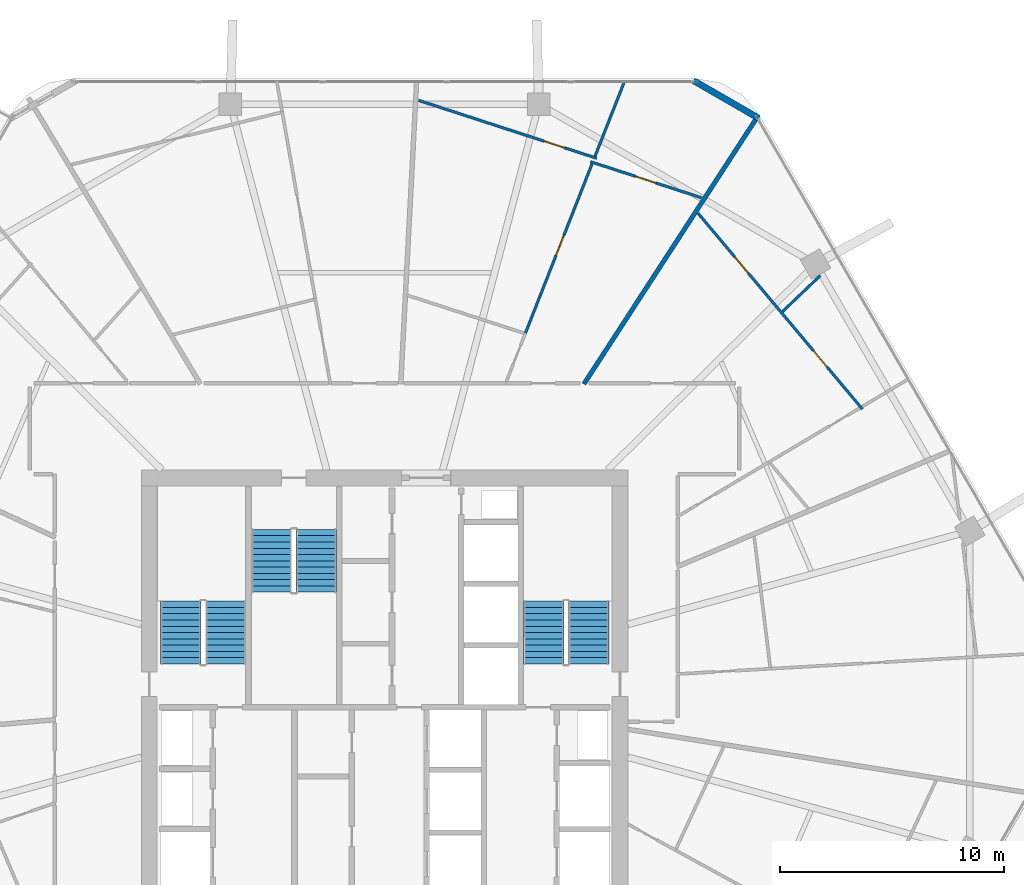
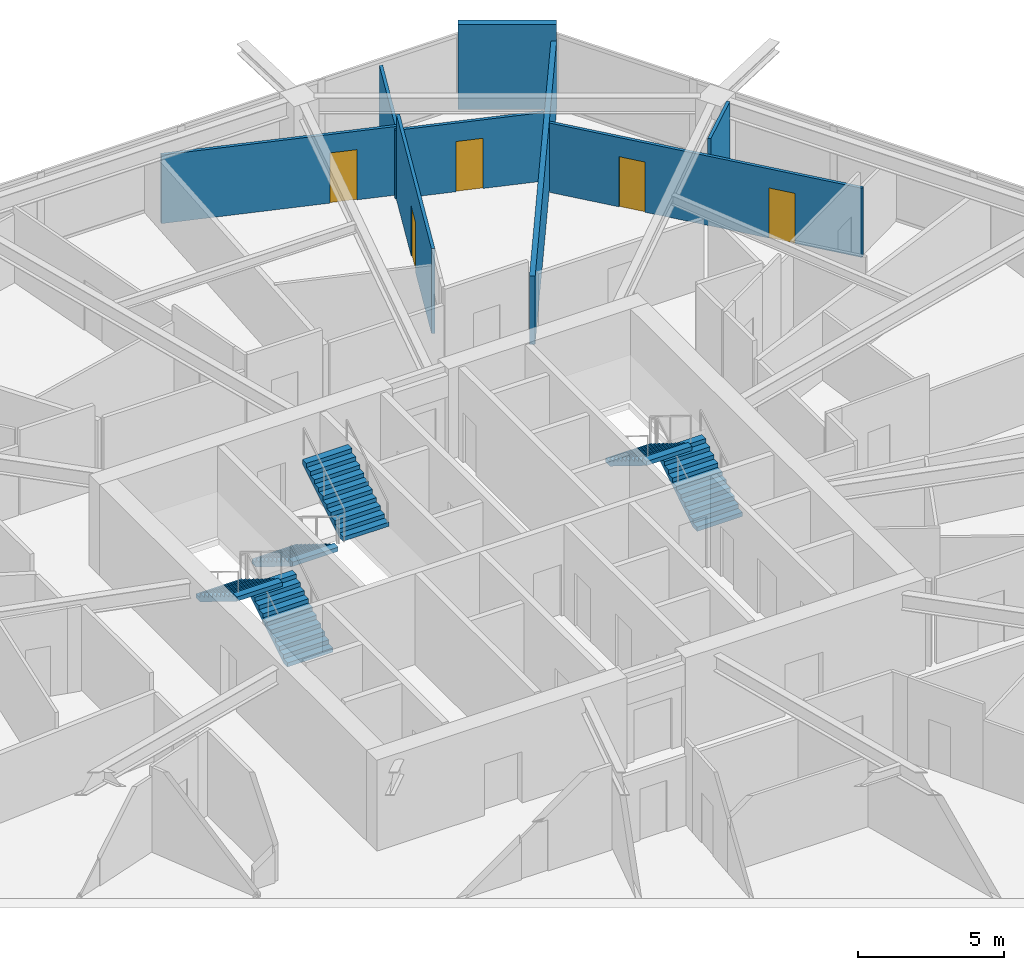
# One storey, part 22 of 26: 8 walls, 6 stair flights, 5 doors, 5 openings, 3 elements without a shape of their own.
"""IFC4 building model written with IfcOpenShell, lengths in metres."""

from ifc_helpers import new_model, si_unit, direction, frame, frame_2d, origin, place, context, subcontext, project, spatial, polyline, rectangle, outline, extrude, material, layer, layer_set, type_object, element, fill, aggregate, save


model = new_model("IFC4")

# Units and contexts
model_context = context("Model", 3, precision=1e-05, world=origin(), true_north=direction((0.0, 1.0)))
body_context = subcontext(model_context, "Body", "Model", "MODEL_VIEW")
ifc_project = project(units=[si_unit("LENGTHUNIT", "METRE"), si_unit("AREAUNIT", "SQUARE_METRE"), si_unit("VOLUMEUNIT", "CUBIC_METRE"), si_unit("PLANEANGLEUNIT", "RADIAN"), si_unit("MASSUNIT", "GRAM", prefix="KILO")], contexts=[model_context])

# Site, building, storey
site_placement = place(None, origin())
site = spatial("IfcSite", under=ifc_project, at=site_placement, CompositionType="ELEMENT")
building_placement = place(site_placement, origin())
building = spatial("IfcBuilding", under=site, at=building_placement, Name="Zuhravey Tower", CompositionType="ELEMENT")
storey_placement = place(building_placement, frame((0.0, 0.0, 165.60009765625)))
storey = spatial("IfcBuildingStorey", under=building, at=storey_placement, Name="L41", CompositionType="ELEMENT", Elevation=165.60009765625)

# Walls
ifc_material_1 = material(Name="Precast concrete C40/50", Category="concrete")
ifc_layer_1 = layer(ifc_material_1, 0.280029296875)
ifc_layer_set_1 = layer_set([ifc_layer_1], Name="Precast concrete C40/50")
wall_type_1 = type_object("IfcWallType", Name="Crown Architectural Wall 280", PredefinedType="SOLIDWALL", material=ifc_layer_set_1)
wall_1_placement = place(storey_placement, frame((49.77880859375, 59.230712890625, 0.0), z_axis=(0.0, 0.0, 1.0), x_axis=(0.866020068361, -0.500009241111, 0.0)))
element("IfcWall", 1, at=wall_1_placement, inside=storey, type_object=wall_type_1, Name="L41 Rounded Corner Closure Wall EW28-10", PredefinedType="SOLIDWALL", context=body_context, shape_type="SweptSolid", body=[
    extrude(rectangle(XDim=3.365234375, YDim=0.280029296875, at=frame_2d((1.6826171875, 0.0))), origin(), (0.0, 0.0, 1.0), 3.5498046875),
])
ifc_material_2 = material(Name="Gypsum double-stud party assembly")
ifc_layer_2 = layer(ifc_material_2, 0.199951171875)
ifc_layer_set_2 = layer_set([ifc_layer_2], Name="Gypsum double-stud party assembly")
wall_type_2 = type_object("IfcWallType", Name="Inter-Tenancy Party Wall 200", PredefinedType="PARTITIONING", material=ifc_layer_set_2)
wall_2_placement = place(storey_placement, frame((44.890380859375, 45.68994140625, 0.0), z_axis=(0.0, 0.0, 1.0), x_axis=(0.544635001308, 0.838673187452, 0.0)))
element("IfcWall", 2, at=wall_2_placement, inside=storey, type_object=wall_type_2, Name="L41 IW20 Partition 081", PredefinedType="PARTITIONING", context=body_context, shape_type="SweptSolid", body=[
    extrude(rectangle(XDim=14.184814453125, YDim=0.199951171875, at=frame_2d((7.09228515625, 0.0))), origin(), (0.0, 0.0, 1.0), 2.869873046875),
])

# Wall, openings, doors
ifc_material_3 = material(Name="Gypsum metal-stud partition")
ifc_layer_3 = layer(ifc_material_3, 0.1201171875)
ifc_layer_set_3 = layer_set([ifc_layer_3], Name="Gypsum metal-stud partition")
wall_type_3 = type_object("IfcWallType", Name="Unit Internal Partition 120", PredefinedType="PARTITIONING", material=ifc_layer_set_3)
wall_3_placement = place(storey_placement, frame((57.31689453125, 44.571044921875, 0.0), z_axis=(0.0, 0.0, 1.0), x_axis=(-0.642776392827, 0.766053855042, 0.0)))
wall_3 = element("IfcWall", 3, at=wall_3_placement, inside=storey, type_object=wall_type_3, Name="L41 IW12 Partition 019", PredefinedType="PARTITIONING", context=body_context, shape_type="SweptSolid", body=[
    extrude(rectangle(XDim=11.4072265625, YDim=0.1201171875, at=frame_2d((5.70361328125, 0.0))), origin(), (0.0, 0.0, 1.0), 2.89990234375),
])
opening_1_placement = place(wall_3_placement, frame((2.455810546875, 0.0, 0.0)))
opening_1 = element("IfcOpeningElement", 4, at=opening_1_placement, cuts=wall_3, Name="Opening IND1", PredefinedType="OPENING", context=body_context, shape_type="SweptSolid", body=[
    extrude(rectangle(XDim=0.949951171875, YDim=2.10009765625, at=frame_2d((0.47509765625, 1.050048828125))), frame((0.0, 0.072021484375, 0.0), z_axis=(0.0, -1.0, 0.0), x_axis=(1.0, 0.0, 0.0)), (0.0, 0.0, 1.0), 0.14404296875),
])
opening_2_placement = place(wall_3_placement, frame((7.919189453125, 0.0, 0.0)))
opening_2 = element("IfcOpeningElement", 5, at=opening_2_placement, cuts=wall_3, Name="Opening IND1", PredefinedType="OPENING", context=body_context, shape_type="SweptSolid", body=[
    extrude(rectangle(XDim=0.949951171875, YDim=2.10009765625, at=frame_2d((0.47509765625, 1.050048828125))), frame((0.0, 0.072021484375, 0.0), z_axis=(0.0, -1.0, 0.0), x_axis=(1.0, 0.0, 0.0)), (0.0, 0.0, 1.0), 0.14404296875),
])
ifc_material_4 = material(Name="Painted engineered timber leaf", Category="wood")
door_type = type_object("IfcDoorType", Name="Internal Room & Bedroom Door 950x2100", OperationType="NOTDEFINED", PredefinedType="DOOR", material=ifc_material_4)
door_1_placement = place(opening_1_placement, frame((0.949951171875, 0.0, 0.0), z_axis=(0.0, 0.0, 1.0), x_axis=(-1.0, 0.0, 0.0)))
door_1 = element("IfcDoor", 6, at=door_1_placement, inside=storey, type_object=door_type, Name="Apartment L41-01 Family Study Door", OperationType="SINGLE_SWING_LEFT", OverallHeight=2.10009765625, OverallWidth=0.949951171875, PredefinedType="DOOR", context=body_context, shape_type="SweptSolid", body=[
    extrude(rectangle(XDim=0.949951171875, YDim=2.10009765625, at=frame_2d((0.47509765625, 1.050048828125))), frame((0.0, 0.02490234375, 0.0), z_axis=(0.0, -1.0, 0.0), x_axis=(1.0, 0.0, 0.0)), (0.0, 0.0, 1.0), 0.050048828125),
])
fill(opening_1, door_1)
door_2_placement = place(opening_2_placement, frame((0.949951171875, 0.0, 0.0), z_axis=(0.0, 0.0, 1.0), x_axis=(-1.0, 0.0, 0.0)))
door_2 = element("IfcDoor", 7, at=door_2_placement, inside=storey, type_object=door_type, Name="Apartment L41-01 Dining Room Door", OperationType="SINGLE_SWING_RIGHT", OverallHeight=2.10009765625, OverallWidth=0.949951171875, PredefinedType="DOOR", context=body_context, shape_type="SweptSolid", body=[
    extrude(rectangle(XDim=0.949951171875, YDim=2.10009765625, at=frame_2d((0.47509765625, 1.050048828125))), frame((0.0, 0.02490234375, 0.0), z_axis=(0.0, -1.0, 0.0), x_axis=(1.0, 0.0, 0.0)), (0.0, 0.0, 1.0), 0.050048828125),
])
fill(opening_2, door_2)

# Wall, opening, door
wall_4_placement = place(storey_placement, frame((50.135498046875, 54.001953125, 0.0), z_axis=(0.0, 0.0, 1.0), x_axis=(-0.951047506312, 0.309044722876, 0.0)))
wall_4 = element("IfcWall", 8, at=wall_4_placement, inside=storey, type_object=wall_type_3, Name="L41 IW12 Partition 024", PredefinedType="PARTITIONING", context=body_context, shape_type="SweptSolid", body=[
    extrude(rectangle(XDim=5.206787109375, YDim=0.1201171875, at=frame_2d((2.603515625, 0.0))), origin(), (0.0, 0.0, 1.0), 2.869873046875),
])
opening_3_placement = place(wall_4_placement, frame((2.12841796875, 0.0, 0.0)))
opening_3 = element("IfcOpeningElement", 9, at=opening_3_placement, cuts=wall_4, Name="Opening IND1", PredefinedType="OPENING", context=body_context, shape_type="SweptSolid", body=[
    extrude(rectangle(XDim=0.949951171875, YDim=2.10009765625, at=frame_2d((0.47509765625, 1.050048828125))), frame((0.0, 0.072021484375, 0.0), z_axis=(0.0, -1.0, 0.0), x_axis=(1.0, 0.0, 0.0)), (0.0, 0.0, 1.0), 0.14404296875),
])
door_3_placement = place(opening_3_placement, frame((0.949951171875, 0.0, 0.0), z_axis=(0.0, 0.0, 1.0), x_axis=(-1.0, 0.0, 0.0)))
door_3 = element("IfcDoor", 10, at=door_3_placement, inside=storey, type_object=door_type, Name="Apartment L41-02 Family Study Door", OperationType="SINGLE_SWING_RIGHT", OverallHeight=2.10009765625, OverallWidth=0.949951171875, PredefinedType="DOOR", context=body_context, shape_type="SweptSolid", body=[
    extrude(rectangle(XDim=0.949951171875, YDim=2.10009765625, at=frame_2d((0.47509765625, 1.050048828125))), frame((0.0, 0.02490234375, 0.0), z_axis=(0.0, -1.0, 0.0), x_axis=(1.0, 0.0, 0.0)), (0.0, 0.0, 1.0), 0.050048828125),
])
fill(opening_3, door_3)

wall_5_placement = place(storey_placement, frame((42.281982421875, 47.96435546875, 0.0), z_axis=(0.0, 0.0, 1.0), x_axis=(0.366182812117, 0.930542931901, 0.0)))
wall_5 = element("IfcWall", 11, at=wall_5_placement, inside=storey, type_object=wall_type_3, Name="L41 IW12 Partition 026", PredefinedType="PARTITIONING", context=body_context, shape_type="SweptSolid", body=[
    extrude(rectangle(XDim=8.115966796875, YDim=0.1201171875, at=frame_2d((4.05810546875, 0.0))), origin(), (0.0, 0.0, 1.0), 3.5498046875),
])
opening_4_placement = place(wall_5_placement, frame((3.720703125, 0.0, 0.0)))
opening_4 = element("IfcOpeningElement", 12, at=opening_4_placement, cuts=wall_5, Name="Opening IND1", PredefinedType="OPENING", context=body_context, shape_type="SweptSolid", body=[
    extrude(rectangle(XDim=0.949951171875, YDim=2.10009765625, at=frame_2d((0.47509765625, 1.050048828125))), frame((0.0, 0.072021484375, 0.0), z_axis=(0.0, -1.0, 0.0), x_axis=(1.0, 0.0, 0.0)), (0.0, 0.0, 1.0), 0.14404296875),
])
door_4_placement = place(opening_4_placement, origin())
door_4 = element("IfcDoor", 13, at=door_4_placement, inside=storey, type_object=door_type, Name="Apartment L41-02 Home Office Door", OperationType="SINGLE_SWING_RIGHT", OverallHeight=2.10009765625, OverallWidth=0.949951171875, PredefinedType="DOOR", context=body_context, shape_type="SweptSolid", body=[
    extrude(rectangle(XDim=0.949951171875, YDim=2.10009765625, at=frame_2d((0.47509765625, 1.050048828125))), frame((0.0, 0.02490234375, 0.0), z_axis=(0.0, -1.0, 0.0), x_axis=(1.0, 0.0, 0.0)), (0.0, 0.0, 1.0), 0.050048828125),
])
fill(opening_4, door_4)

wall_6_placement = place(storey_placement, frame((45.45947265625, 55.765625, 0.0), z_axis=(0.0, 0.0, 1.0), x_axis=(-0.9510658366, 0.308988307953, 0.0)))
wall_6 = element("IfcWall", 14, at=wall_6_placement, inside=storey, type_object=wall_type_3, Name="L41 IW12 Partition 027", PredefinedType="PARTITIONING", context=body_context, shape_type="SweptSolid", body=[
    extrude(rectangle(XDim=8.357177734375, YDim=0.1201171875, at=frame_2d((4.1787109375, 0.0))), origin(), (0.0, 0.0, 1.0), 2.869873046875),
])
opening_5_placement = place(wall_6_placement, frame((1.50341796875, 0.0, 0.0)))
opening_5 = element("IfcOpeningElement", 15, at=opening_5_placement, cuts=wall_6, Name="Opening IND1", PredefinedType="OPENING", context=body_context, shape_type="SweptSolid", body=[
    extrude(rectangle(XDim=0.949951171875, YDim=2.10009765625, at=frame_2d((0.47509765625, 1.050048828125))), frame((0.0, 0.072021484375, 0.0), z_axis=(0.0, -1.0, 0.0), x_axis=(1.0, 0.0, 0.0)), (0.0, 0.0, 1.0), 0.14404296875),
])
door_5_placement = place(opening_5_placement, frame((0.949951171875, 0.0, 0.0), z_axis=(0.0, 0.0, 1.0), x_axis=(-1.0, 0.0, 0.0)))
door_5 = element("IfcDoor", 16, at=door_5_placement, inside=storey, type_object=door_type, Name="Apartment L41-02 Kitchen Door", OperationType="SINGLE_SWING_LEFT", OverallHeight=2.10009765625, OverallWidth=0.949951171875, PredefinedType="DOOR", context=body_context, shape_type="SweptSolid", body=[
    extrude(rectangle(XDim=0.949951171875, YDim=2.10009765625, at=frame_2d((0.47509765625, 1.050048828125))), frame((0.0, 0.02490234375, 0.0), z_axis=(0.0, -1.0, 0.0), x_axis=(1.0, 0.0, 0.0)), (0.0, 0.0, 1.0), 0.050048828125),
])
fill(opening_5, door_5)

# Walls
wall_7_placement = place(storey_placement, frame((53.75341796875, 48.923828125, 0.0), z_axis=(0.0, 0.0, 1.0), x_axis=(0.723775388802, 0.690035641517, 0.0)))
element("IfcWall", 17, at=wall_7_placement, inside=storey, type_object=wall_type_3, Name="L41 IW12 Partition 076", PredefinedType="PARTITIONING", context=body_context, shape_type="SweptSolid", body=[
    extrude(rectangle(XDim=2.32275390625, YDim=0.1201171875, at=frame_2d((1.161376953125, 0.0))), origin(), (0.0, 0.0, 1.0), 3.5498046875),
])
wall_8_placement = place(storey_placement, frame((45.388916015625, 55.860107421875, 0.0), z_axis=(0.0, 0.0, 1.0), x_axis=(0.366227083172, 0.93052550935, 0.0)))
element("IfcWall", 18, at=wall_8_placement, inside=storey, type_object=wall_type_3, Name="L41 IW12 Partition 083", PredefinedType="PARTITIONING", context=body_context, shape_type="SweptSolid", body=[
    extrude(rectangle(XDim=3.574462890625, YDim=0.1201171875, at=frame_2d((1.787109375, 0.0))), origin(), (0.0, 0.0, 1.0), 2.869873046875),
])

# Stair, stair flights
ifc_material_5 = material(Name="Concrete C40/50", Category="concrete")
stair_type = type_object("IfcStairType", Name="Housing Storey Stair Assembly 3800", PredefinedType="HALF_TURN_STAIR", material=ifc_material_5)
stair_1_placement = place(storey_placement, origin())
stair_1 = element("IfcStair", 19, at=stair_1_placement, inside=storey, type_object=stair_type, Name="L41 Core Exit Stair ST1", PredefinedType="HALF_TURN_STAIR")
stair_flight_type = type_object("IfcStairFlightType", Name="Housing Storey Stair Flight 3800", PredefinedType="STRAIGHT", material=ifc_material_5)
stair_flight_1_placement = place(storey_placement, frame((28.89990234375, 33.199951171875, 0.0), z_axis=(0.0, 0.0, 1.0), x_axis=(0.0, 1.0, 0.0)))
stair_flight_1 = element("IfcStairFlight", 20, at=stair_flight_1_placement, type_object=stair_flight_type, Name="ST1 flight 1", NumberOfRisers=11, NumberOfTreads=10, PredefinedType="STRAIGHT", RiserHeight=0.172727273, TreadLength=0.28, context=body_context, shape_type="SweptSolid", body=[
    extrude(outline(polyline([(0.0, 0.0), (0.0, 0.172607421875), (0.280029296875, 0.172607421875), (0.280029296875, 0.345458984375), (0.56005859375, 0.345458984375), (0.56005859375, 0.51806640625), (0.840087890625, 0.51806640625), (0.840087890625, 0.69091796875), (1.1201171875, 0.69091796875), (1.1201171875, 0.863525390625), (1.39990234375, 0.863525390625), (1.39990234375, 1.036376953125), (1.679931640625, 1.036376953125), (1.679931640625, 1.208984375), (1.9599609375, 1.208984375), (1.9599609375, 1.3818359375), (2.239990234375, 1.3818359375), (2.239990234375, 1.554443359375), (2.52001953125, 1.554443359375), (2.52001953125, 1.727294921875), (2.800048828125, 1.727294921875), (2.800048828125, 1.89990234375), (2.800048828125, 1.551025390625), (0.285400390625, 0.0), (0.0, 0.0)])), frame((0.0, 0.89990234375, 0.0), z_axis=(0.0, -1.0, 0.0), x_axis=(1.0, 0.0, 0.0)), (0.0, 0.0, 1.0), 1.800048828125),
])
stair_flight_2_placement = place(storey_placement, frame((26.89990234375, 36.0, 1.89990234375), z_axis=(0.0, 0.0, 1.0), x_axis=(0.0, -1.0, 0.0)))
stair_flight_2 = element("IfcStairFlight", 21, at=stair_flight_2_placement, type_object=stair_flight_type, Name="ST1 flight 2", NumberOfRisers=11, NumberOfTreads=10, PredefinedType="STRAIGHT", RiserHeight=0.172727273, TreadLength=0.28, context=body_context, shape_type="SweptSolid", body=[
    extrude(outline(polyline([(0.0, 0.0), (0.0, 0.172607421875), (0.280029296875, 0.172607421875), (0.280029296875, 0.345458984375), (0.56005859375, 0.345458984375), (0.56005859375, 0.51806640625), (0.840087890625, 0.51806640625), (0.840087890625, 0.69091796875), (1.1201171875, 0.69091796875), (1.1201171875, 0.863525390625), (1.39990234375, 0.863525390625), (1.39990234375, 1.036376953125), (1.679931640625, 1.036376953125), (1.679931640625, 1.208984375), (1.9599609375, 1.208984375), (1.9599609375, 1.3818359375), (2.239990234375, 1.3818359375), (2.239990234375, 1.554443359375), (2.52001953125, 1.554443359375), (2.52001953125, 1.727294921875), (2.800048828125, 1.727294921875), (2.800048828125, 1.89990234375), (2.800048828125, 1.551025390625), (0.285400390625, 0.0), (0.0, 0.0)])), frame((0.0, 0.89990234375, 0.0), z_axis=(0.0, -1.0, 0.0), x_axis=(1.0, 0.0, 0.0)), (0.0, 0.0, 1.0), 1.800048828125),
])
aggregate(stair_1, [stair_flight_1, stair_flight_2])

stair_2_placement = place(storey_placement, origin())
stair_2 = element("IfcStair", 22, at=stair_2_placement, inside=storey, type_object=stair_type, Name="L41 Core Exit Stair ST2", PredefinedType="HALF_TURN_STAIR")
stair_flight_3_placement = place(storey_placement, frame((45.10009765625, 33.199951171875, 0.0), z_axis=(0.0, 0.0, 1.0), x_axis=(0.0, 1.0, 0.0)))
stair_flight_3 = element("IfcStairFlight", 23, at=stair_flight_3_placement, type_object=stair_flight_type, Name="ST2 flight 1", NumberOfRisers=11, NumberOfTreads=10, PredefinedType="STRAIGHT", RiserHeight=0.172727273, TreadLength=0.28, context=body_context, shape_type="SweptSolid", body=[
    extrude(outline(polyline([(0.0, 0.0), (0.0, 0.172607421875), (0.280029296875, 0.172607421875), (0.280029296875, 0.345458984375), (0.56005859375, 0.345458984375), (0.56005859375, 0.51806640625), (0.840087890625, 0.51806640625), (0.840087890625, 0.69091796875), (1.1201171875, 0.69091796875), (1.1201171875, 0.863525390625), (1.39990234375, 0.863525390625), (1.39990234375, 1.036376953125), (1.679931640625, 1.036376953125), (1.679931640625, 1.208984375), (1.9599609375, 1.208984375), (1.9599609375, 1.3818359375), (2.239990234375, 1.3818359375), (2.239990234375, 1.554443359375), (2.52001953125, 1.554443359375), (2.52001953125, 1.727294921875), (2.800048828125, 1.727294921875), (2.800048828125, 1.89990234375), (2.800048828125, 1.551025390625), (0.285400390625, 0.0), (0.0, 0.0)])), frame((0.0, 0.89990234375, 0.0), z_axis=(0.0, -1.0, 0.0), x_axis=(1.0, 0.0, 0.0)), (0.0, 0.0, 1.0), 1.800048828125),
])
stair_flight_4_placement = place(storey_placement, frame((43.10009765625, 36.0, 1.89990234375), z_axis=(0.0, 0.0, 1.0), x_axis=(0.0, -1.0, 0.0)))
stair_flight_4 = element("IfcStairFlight", 24, at=stair_flight_4_placement, type_object=stair_flight_type, Name="ST2 flight 2", NumberOfRisers=11, NumberOfTreads=10, PredefinedType="STRAIGHT", RiserHeight=0.172727273, TreadLength=0.28, context=body_context, shape_type="SweptSolid", body=[
    extrude(outline(polyline([(0.0, 0.0), (0.0, 0.172607421875), (0.280029296875, 0.172607421875), (0.280029296875, 0.345458984375), (0.56005859375, 0.345458984375), (0.56005859375, 0.51806640625), (0.840087890625, 0.51806640625), (0.840087890625, 0.69091796875), (1.1201171875, 0.69091796875), (1.1201171875, 0.863525390625), (1.39990234375, 0.863525390625), (1.39990234375, 1.036376953125), (1.679931640625, 1.036376953125), (1.679931640625, 1.208984375), (1.9599609375, 1.208984375), (1.9599609375, 1.3818359375), (2.239990234375, 1.3818359375), (2.239990234375, 1.554443359375), (2.52001953125, 1.554443359375), (2.52001953125, 1.727294921875), (2.800048828125, 1.727294921875), (2.800048828125, 1.89990234375), (2.800048828125, 1.551025390625), (0.285400390625, 0.0), (0.0, 0.0)])), frame((0.0, 0.89990234375, 0.0), z_axis=(0.0, -1.0, 0.0), x_axis=(1.0, 0.0, 0.0)), (0.0, 0.0, 1.0), 1.800048828125),
])
aggregate(stair_2, [stair_flight_3, stair_flight_4])

stair_3_placement = place(storey_placement, origin())
stair_3 = element("IfcStair", 25, at=stair_3_placement, inside=storey, type_object=stair_type, Name="L41 Core Exit Stair ST3", PredefinedType="HALF_TURN_STAIR")
stair_flight_5_placement = place(storey_placement, frame((30.949951171875, 39.199951171875, 0.0), z_axis=(0.0, 0.0, 1.0), x_axis=(0.0, -1.0, 0.0)))
stair_flight_5 = element("IfcStairFlight", 26, at=stair_flight_5_placement, type_object=stair_flight_type, Name="ST3 flight 1", NumberOfRisers=11, NumberOfTreads=10, PredefinedType="STRAIGHT", RiserHeight=0.172727273, TreadLength=0.28, context=body_context, shape_type="SweptSolid", body=[
    extrude(outline(polyline([(0.0, 0.0), (0.0, 0.172607421875), (0.280029296875, 0.172607421875), (0.280029296875, 0.345458984375), (0.56005859375, 0.345458984375), (0.56005859375, 0.51806640625), (0.840087890625, 0.51806640625), (0.840087890625, 0.69091796875), (1.1201171875, 0.69091796875), (1.1201171875, 0.863525390625), (1.39990234375, 0.863525390625), (1.39990234375, 1.036376953125), (1.679931640625, 1.036376953125), (1.679931640625, 1.208984375), (1.9599609375, 1.208984375), (1.9599609375, 1.3818359375), (2.239990234375, 1.3818359375), (2.239990234375, 1.554443359375), (2.52001953125, 1.554443359375), (2.52001953125, 1.727294921875), (2.800048828125, 1.727294921875), (2.800048828125, 1.89990234375), (2.800048828125, 1.551025390625), (0.285400390625, 0.0), (0.0, 0.0)])), frame((0.0, 0.89990234375, 0.0), z_axis=(0.0, -1.0, 0.0), x_axis=(1.0, 0.0, 0.0)), (0.0, 0.0, 1.0), 1.800048828125),
])
stair_flight_6_placement = place(storey_placement, frame((32.949951171875, 36.39990234375, 1.89990234375), z_axis=(0.0, 0.0, 1.0), x_axis=(0.0, 1.0, 0.0)))
stair_flight_6 = element("IfcStairFlight", 27, at=stair_flight_6_placement, type_object=stair_flight_type, Name="ST3 flight 2", NumberOfRisers=11, NumberOfTreads=10, PredefinedType="STRAIGHT", RiserHeight=0.172727273, TreadLength=0.28, context=body_context, shape_type="SweptSolid", body=[
    extrude(outline(polyline([(0.0, 0.0), (0.0, 0.172607421875), (0.280029296875, 0.172607421875), (0.280029296875, 0.345458984375), (0.56005859375, 0.345458984375), (0.56005859375, 0.51806640625), (0.840087890625, 0.51806640625), (0.840087890625, 0.69091796875), (1.1201171875, 0.69091796875), (1.1201171875, 0.863525390625), (1.39990234375, 0.863525390625), (1.39990234375, 1.036376953125), (1.679931640625, 1.036376953125), (1.679931640625, 1.208984375), (1.9599609375, 1.208984375), (1.9599609375, 1.3818359375), (2.239990234375, 1.3818359375), (2.239990234375, 1.554443359375), (2.52001953125, 1.554443359375), (2.52001953125, 1.727294921875), (2.800048828125, 1.727294921875), (2.800048828125, 1.89990234375), (2.800048828125, 1.551025390625), (0.285400390625, 0.0), (0.0, 0.0)])), frame((0.0, 0.89990234375, 0.0), z_axis=(0.0, -1.0, 0.0), x_axis=(1.0, 0.0, 0.0)), (0.0, 0.0, 1.0), 1.800048828125),
])
aggregate(stair_3, [stair_flight_5, stair_flight_6])

save(model, "model.ifc")
